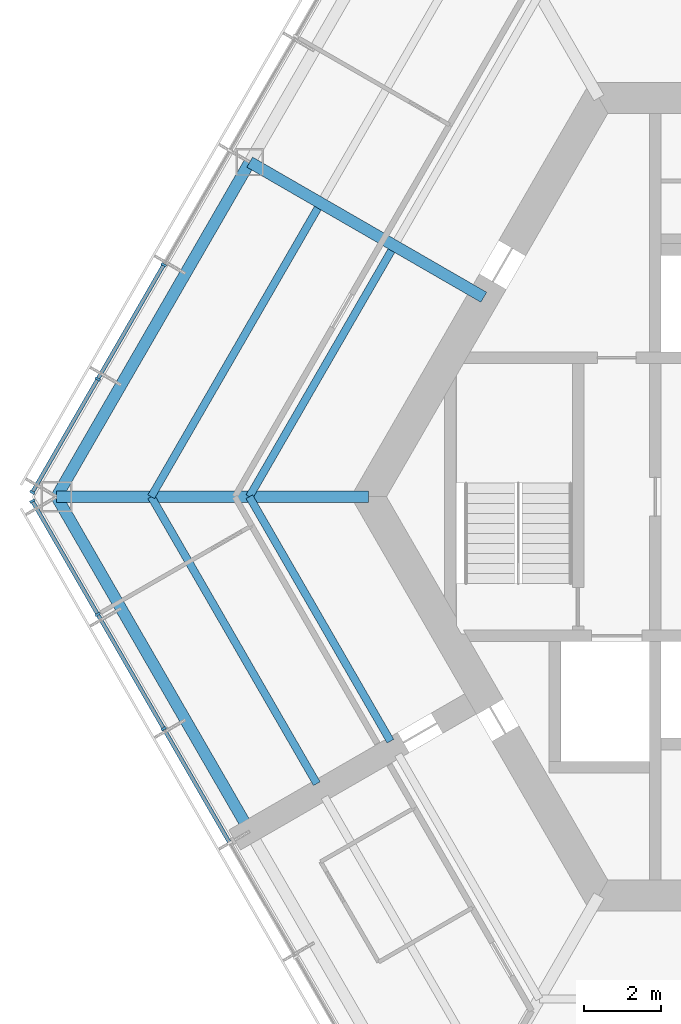
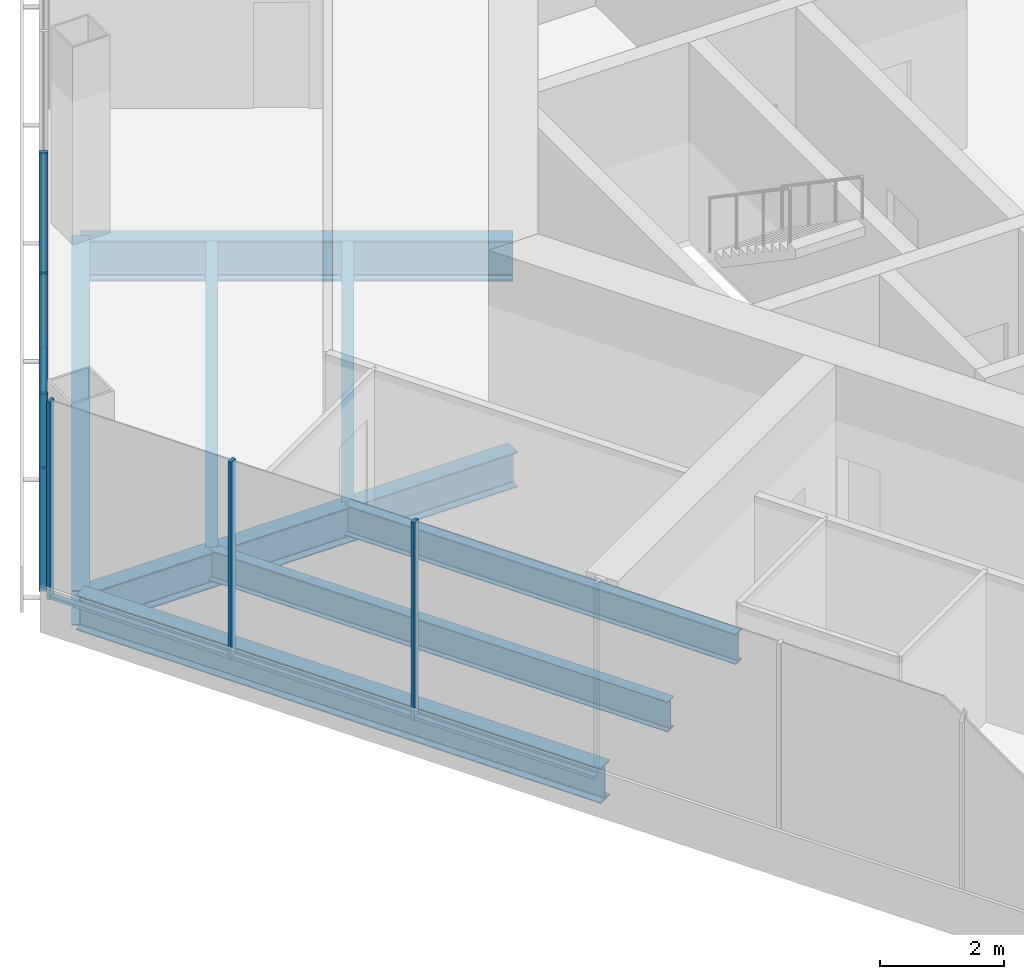
# One storey, part 3 of 15: 11 members, 8 beams, 2 elements without a shape of their own.
"""IFC4 building model written with IfcOpenShell, lengths in metres."""

from ifc_helpers import new_model, si_unit, direction, frame, origin, origin_2d, place, context, subcontext, project, spatial, rectangle, i_section, extrude, material, material_profile, profile_set, type_object, element, aggregate, save


model = new_model("IFC4")

# Units and contexts
model_context = context("Model", 3, precision=1e-05, world=origin(), true_north=direction((0.0, 1.0)))
body_context = subcontext(model_context, "Body", "Model", "MODEL_VIEW")
ifc_project = project(units=[si_unit("LENGTHUNIT", "METRE"), si_unit("AREAUNIT", "SQUARE_METRE"), si_unit("VOLUMEUNIT", "CUBIC_METRE"), si_unit("PLANEANGLEUNIT", "RADIAN"), si_unit("MASSUNIT", "GRAM", prefix="KILO")], contexts=[model_context])

# Site, building, storey
site_placement = place(None, origin())
site = spatial("IfcSite", under=ifc_project, at=site_placement, CompositionType="ELEMENT")
building_placement = place(site_placement, origin())
building = spatial("IfcBuilding", under=site, at=building_placement, Name="Kasaneha Research Tower", CompositionType="ELEMENT")
storey_placement = place(building_placement, frame((0.0, 0.0, 236.199951171875)))
storey = spatial("IfcBuildingStorey", under=building, at=storey_placement, Name="L59", CompositionType="ELEMENT", Elevation=236.199951171875)

# Beams
ifc_material_1 = material(Name="Steel SN490B", Category="steel")
ifc_material_profile_1 = material_profile(ifc_material_1, i_section(OverallWidth=0.199951171875, OverallDepth=0.60009765625, WebThickness=0.010986328125, FlangeThickness=0.01708984375, FilletRadius=0.012939453125, at=origin_2d()), Name="H-600x200x11x17")
ifc_profile_set_1 = profile_set([ifc_material_profile_1], Name="Steel SN490B")
beam_type_1 = type_object("IfcBeamType", Name="B1-3 secondary beam H-600x200x11x17", PredefinedType="JOIST", material=ifc_profile_set_1)
beam_1_placement = place(storey_placement, frame((-15.010986328125, 0.0, -0.449951171875), z_axis=(0.499994443168, 0.866028611999, 0.0), x_axis=(-0.866028611999, 0.499994443168, 0.0)))
element("IfcBeam", 1, at=beam_1_placement, inside=storey, type_object=beam_type_1, Name="Secondary beam RS150R1 L59", PredefinedType="JOIST", context=body_context, shape_type="SweptSolid", body=[
    extrude(i_section(OverallWidth=0.199951171875, OverallDepth=0.60009765625, WebThickness=0.010986328125, FlangeThickness=0.01708984375, FilletRadius=0.012939453125, at=origin_2d()), origin(), (0.0, 0.0, 1.0), 7.35546875),
])
beam_2_placement = place(storey_placement, frame((-17.551513671875, 0.0, -0.449951171875), z_axis=(0.5000050195, 0.866022505755, 0.0), x_axis=(-0.866022505755, 0.5000050195, 0.0)))
element("IfcBeam", 2, at=beam_2_placement, inside=storey, type_object=beam_type_1, Name="Secondary beam RS150R2 L59", PredefinedType="JOIST", context=body_context, shape_type="SweptSolid", body=[
    extrude(i_section(OverallWidth=0.199951171875, OverallDepth=0.60009765625, WebThickness=0.010986328125, FlangeThickness=0.01708984375, FilletRadius=0.012939453125, at=origin_2d()), origin(), (0.0, 0.0, 1.0), 8.6259765625),
])
beam_3_placement = place(storey_placement, frame((-15.010986328125, 0.0, -0.449951171875), z_axis=(0.499974128195, -0.866040340363, 0.0), x_axis=(0.866040340363, 0.499974128195, 0.0)))
element("IfcBeam", 3, at=beam_3_placement, inside=storey, type_object=beam_type_1, Name="Secondary beam RS210L1 L59", PredefinedType="JOIST", context=body_context, shape_type="SweptSolid", body=[
    extrude(i_section(OverallWidth=0.199951171875, OverallDepth=0.60009765625, WebThickness=0.010986328125, FlangeThickness=0.01708984375, FilletRadius=0.012939453125, at=origin_2d()), origin(), (0.0, 0.0, 1.0), 7.3056640625),
])
beam_4_placement = place(storey_placement, frame((-17.551513671875, 0.0, -0.449951171875), z_axis=(0.500000102728, -0.866025344474, 0.0), x_axis=(0.866025344474, 0.500000102728, 0.0)))
element("IfcBeam", 4, at=beam_4_placement, inside=storey, type_object=beam_type_1, Name="Secondary beam RS210L2 L59", PredefinedType="JOIST", context=body_context, shape_type="SweptSolid", body=[
    extrude(i_section(OverallWidth=0.199951171875, OverallDepth=0.60009765625, WebThickness=0.010986328125, FlangeThickness=0.01708984375, FilletRadius=0.012939453125, at=origin_2d()), origin(), (0.0, 0.0, 1.0), 8.57568359375),
])

# Curtain wall, members
ifc_material_2 = material(Name="Glass and aluminium", Category="aluminium")
curtain_wall_type = type_object("IfcCurtainWallType", Name="High-rise office curtain wall", PredefinedType="USERDEFINED", material=ifc_material_2)
curtain_wall_1_placement = place(storey_placement, origin())
curtain_wall_1 = element("IfcCurtainWall", 5, at=curtain_wall_1_placement, inside=storey, type_object=curtain_wall_type, Name="CW-O3 L59 run 03a", ObjectType="UNITISED CURTAIN WALL", PredefinedType="USERDEFINED")
ifc_material_3 = material(Name="Aluminium 6063-T6", Category="aluminium")
ifc_material_profile_2 = material_profile(ifc_material_3, rectangle(XDim=0.06005859375, YDim=0.139892578125, at=origin_2d()), Name="CW-O3 mullion 60x140")
ifc_profile_set_2 = profile_set([ifc_material_profile_2], Name="Aluminium 6063-T6")
member_type_1 = type_object("IfcMemberType", Name="CW-O3 mullion", PredefinedType="MULLION", material=ifc_profile_set_2)
member_1_placement = place(storey_placement, frame((-17.227294921875, 6.00244140625, 0.0), z_axis=(0.0, 0.0, 1.0), x_axis=(-0.499999995722, -0.866025406254, 0.0)))
member_1 = element("IfcMember", 6, at=member_1_placement, type_object=member_type_1, Name="CW-O3 mullion 5", PredefinedType="MULLION", context=body_context, shape_type="SweptSolid", body=[
    extrude(rectangle(XDim=0.06005859375, YDim=0.139892578125, at=origin_2d()), origin(), (0.0, 0.0, 1.0), 3.900146484375),
])
member_2_placement = place(storey_placement, frame((-18.93505859375, 3.04443359375, 0.0), z_axis=(0.0, 0.0, 1.0), x_axis=(-0.499999995722, -0.866025406254, 0.0)))
member_2 = element("IfcMember", 7, at=member_2_placement, type_object=member_type_1, Name="CW-O3 mullion 6", PredefinedType="MULLION", context=body_context, shape_type="SweptSolid", body=[
    extrude(rectangle(XDim=0.06005859375, YDim=0.139892578125, at=origin_2d()), origin(), (0.0, 0.0, 1.0), 3.900146484375),
])
member_3_placement = place(storey_placement, frame((-20.6279296875, 0.112548828125, 0.0), z_axis=(0.0, 0.0, 1.0), x_axis=(-0.499999995722, -0.866025406254, 0.0)))
member_3 = element("IfcMember", 8, at=member_3_placement, type_object=member_type_1, Name="CW-O3 mullion 7", PredefinedType="MULLION", context=body_context, shape_type="SweptSolid", body=[
    extrude(rectangle(XDim=0.06005859375, YDim=0.139892578125, at=origin_2d()), origin(), (0.0, 0.0, 1.0), 3.900146484375),
])

curtain_wall_2_placement = place(storey_placement, origin())
curtain_wall_2 = element("IfcCurtainWall", 9, at=curtain_wall_2_placement, inside=storey, type_object=curtain_wall_type, Name="CW-O3 L59 run 04a", ObjectType="UNITISED CURTAIN WALL", PredefinedType="USERDEFINED")
member_4_placement = place(storey_placement, frame((-20.6279296875, -0.112548828125, 0.0), z_axis=(0.0, 0.0, 1.0), x_axis=(0.499999995722, -0.866025406254, 0.0)))
member_4 = element("IfcMember", 10, at=member_4_placement, type_object=member_type_1, Name="CW-O3 mullion 1", PredefinedType="MULLION", context=body_context, shape_type="SweptSolid", body=[
    extrude(rectangle(XDim=0.06005859375, YDim=0.139892578125, at=origin_2d()), origin(), (0.0, 0.0, 1.0), 3.900146484375),
])
member_5_placement = place(storey_placement, frame((-18.93505859375, -3.04443359375, 0.0), z_axis=(0.0, 0.0, 1.0), x_axis=(0.499999995722, -0.866025406254, 0.0)))
member_5 = element("IfcMember", 11, at=member_5_placement, type_object=member_type_1, Name="CW-O3 mullion 2", PredefinedType="MULLION", context=body_context, shape_type="SweptSolid", body=[
    extrude(rectangle(XDim=0.06005859375, YDim=0.139892578125, at=origin_2d()), origin(), (0.0, 0.0, 1.0), 3.900146484375),
])
member_6_placement = place(storey_placement, frame((-17.227294921875, -6.00244140625, 0.0), z_axis=(0.0, 0.0, 1.0), x_axis=(0.499999995722, -0.866025406254, 0.0)))
member_6 = element("IfcMember", 12, at=member_6_placement, type_object=member_type_1, Name="CW-O3 mullion 3", PredefinedType="MULLION", context=body_context, shape_type="SweptSolid", body=[
    extrude(rectangle(XDim=0.06005859375, YDim=0.139892578125, at=origin_2d()), origin(), (0.0, 0.0, 1.0), 3.900146484375),
])

# Member
ifc_material_4 = material(Name="Aluminium 6063-T6", Category="aluminium")
ifc_material_profile_3 = material_profile(ifc_material_4, rectangle(XDim=0.10009765625, YDim=0.06005859375, at=origin_2d()), Name="CW-O3 transom 100x60")
ifc_profile_set_3 = profile_set([ifc_material_profile_3], Name="Aluminium 6063-T6")
member_type_2 = type_object("IfcMemberType", Name="CW-O3 transom", PredefinedType="USERDEFINED", material=ifc_profile_set_3)
member_7_placement = place(storey_placement, frame((-17.242431640625, 5.976318359375, 0.030029296875), z_axis=(-0.500020578564, -0.866013522419, 0.0), x_axis=(0.866013522419, -0.500020578564, 0.0)))
member_7 = element("IfcMember", 13, at=member_7_placement, type_object=member_type_2, Name="CW-O3 transom 5", ObjectType="TRANSOM", PredefinedType="USERDEFINED", context=body_context, shape_type="SweptSolid", body=[
    extrude(rectangle(XDim=0.10009765625, YDim=0.06005859375, at=origin_2d()), origin(), (0.0, 0.0, 1.0), 3.355224609375),
])

member_8_placement = place(storey_placement, frame((-18.9501953125, 3.0185546875, 0.030029296875), z_axis=(-0.49997666526, -0.866038875684, 0.0), x_axis=(0.866038875684, -0.49997666526, 0.0)))
member_8 = element("IfcMember", 14, at=member_8_placement, type_object=member_type_2, Name="CW-O3 transom 6", ObjectType="TRANSOM", PredefinedType="USERDEFINED", context=body_context, shape_type="SweptSolid", body=[
    extrude(rectangle(XDim=0.10009765625, YDim=0.06005859375, at=origin_2d()), origin(), (0.0, 0.0, 1.0), 3.325439453125),
])

aggregate(curtain_wall_1, [member_1, member_2, member_3, member_7, member_8])

member_9_placement = place(storey_placement, frame((-20.61279296875, -0.138671875, 0.030029296875), z_axis=(0.49997666526, -0.866038875684, 0.0), x_axis=(0.866038875684, 0.49997666526, 0.0)))
member_9 = element("IfcMember", 15, at=member_9_placement, type_object=member_type_2, Name="CW-O3 transom 1", ObjectType="TRANSOM", PredefinedType="USERDEFINED", context=body_context, shape_type="SweptSolid", body=[
    extrude(rectangle(XDim=0.10009765625, YDim=0.06005859375, at=origin_2d()), origin(), (0.0, 0.0, 1.0), 3.325439453125),
])

member_10_placement = place(storey_placement, frame((-18.920166015625, -3.070556640625, 0.030029296875), z_axis=(0.500020578564, -0.866013522419, 0.0), x_axis=(0.866013522419, 0.500020578564, 0.0)))
member_10 = element("IfcMember", 16, at=member_10_placement, type_object=member_type_2, Name="CW-O3 transom 2", ObjectType="TRANSOM", PredefinedType="USERDEFINED", context=body_context, shape_type="SweptSolid", body=[
    extrude(rectangle(XDim=0.10009765625, YDim=0.06005859375, at=origin_2d()), origin(), (0.0, 0.0, 1.0), 3.355224609375),
])

member_11_placement = place(storey_placement, frame((-17.21240234375, -6.0283203125, 0.030029296875), z_axis=(0.499989072476, -0.866031712701, 0.0), x_axis=(0.866031712701, 0.499989072476, 0.0)))
member_11 = element("IfcMember", 17, at=member_11_placement, type_object=member_type_2, Name="CW-O3 transom 3", ObjectType="TRANSOM", PredefinedType="USERDEFINED", context=body_context, shape_type="SweptSolid", body=[
    extrude(rectangle(XDim=0.10009765625, YDim=0.06005859375, at=origin_2d()), origin(), (0.0, 0.0, 1.0), 3.35546875),
])

aggregate(curtain_wall_2, [member_4, member_5, member_6, member_9, member_10, member_11])

# Beams
ifc_material_5 = material(Name="Steel SN490B", Category="steel")
ifc_material_profile_4 = material_profile(ifc_material_5, i_section(OverallWidth=0.300048828125, OverallDepth=0.699951171875, WebThickness=0.012939453125, FlangeThickness=0.02392578125, FilletRadius=0.01806640625, at=origin_2d()), Name="H-700x300x13x24")
ifc_profile_set_4 = profile_set([ifc_material_profile_4], Name="Steel SN490B")
beam_type_2 = type_object("IfcBeamType", Name="G1-3 radial girder H-700x300x13x24", PredefinedType="BEAM", material=ifc_profile_set_4)
beam_5_placement = place(storey_placement, frame((-11.92236328125, 0.0, -0.5), z_axis=(-1.0, 0.0, 0.0), x_axis=(0.0, -1.0, 0.0)))
element("IfcBeam", 18, at=beam_5_placement, inside=storey, type_object=beam_type_2, Name="Radial girder RV180 L59", PredefinedType="BEAM", context=body_context, shape_type="SweptSolid", body=[
    extrude(i_section(OverallWidth=0.300048828125, OverallDepth=0.699951171875, WebThickness=0.012939453125, FlangeThickness=0.02392578125, FilletRadius=0.01806640625, at=origin_2d()), origin(), (0.0, 0.0, 1.0), 8.07763671875),
])
ifc_material_6 = material(Name="Steel SN490B", Category="steel")
ifc_material_profile_5 = material_profile(ifc_material_6, i_section(OverallWidth=0.300048828125, OverallDepth=0.800048828125, WebThickness=0.013916015625, FlangeThickness=0.02587890625, FilletRadius=0.01806640625, at=origin_2d()), Name="H-800x300x14x26")
ifc_profile_set_5 = profile_set([ifc_material_profile_5], Name="Steel SN490B")
beam_type_3 = type_object("IfcBeamType", Name="G2-3 radial girder H-800x300x14x26", PredefinedType="BEAM", material=ifc_profile_set_5)
beam_6_placement = place(storey_placement, frame((-8.941650390625, 5.16259765625, -0.550048828125), z_axis=(-0.866039713508, 0.499975214012, 0.0), x_axis=(-0.499975214012, -0.866039713508, 0.0)))
element("IfcBeam", 19, at=beam_6_placement, inside=storey, type_object=beam_type_3, Name="Radial girder RM150 L59", PredefinedType="BEAM", context=body_context, shape_type="SweptSolid", body=[
    extrude(i_section(OverallWidth=0.300048828125, OverallDepth=0.800048828125, WebThickness=0.013916015625, FlangeThickness=0.02587890625, FilletRadius=0.01806640625, at=origin_2d()), origin(), (0.0, 0.0, 1.0), 6.995361328125),
])
ifc_material_7 = material(Name="Steel SN490B", Category="steel")
ifc_material_profile_6 = material_profile(ifc_material_7, i_section(OverallWidth=0.300048828125, OverallDepth=0.69189453125, WebThickness=0.012939453125, FlangeThickness=0.02001953125, FilletRadius=0.01806640625, at=origin_2d()), Name="H-692x300x13x20")
ifc_profile_set_6 = profile_set([ifc_material_profile_6], Name="Steel SN490B")
beam_type_4 = type_object("IfcBeamType", Name="G3-3 plate edge girder H-692x300x13x20", PredefinedType="BEAM", material=ifc_profile_set_6)
beam_7_placement = place(storey_placement, frame((-20.0, 0.0, -0.495849609375), z_axis=(0.49999201416, -0.866030014362, 0.0), x_axis=(0.866030014362, 0.49999201416, 0.0)))
element("IfcBeam", 20, at=beam_7_placement, inside=storey, type_object=beam_type_4, Name="Plate edge girder PEBP L59", PredefinedType="BEAM", context=body_context, shape_type="SweptSolid", body=[
    extrude(i_section(OverallWidth=0.300048828125, OverallDepth=0.69189453125, WebThickness=0.012939453125, FlangeThickness=0.02001953125, FilletRadius=0.01806640625, at=origin_2d()), origin(), (0.0, 0.0, 1.0), 9.800048828125),
])
ifc_material_8 = material(Name="Steel SN490B", Category="steel")
ifc_material_profile_7 = material_profile(ifc_material_8, i_section(OverallWidth=0.300048828125, OverallDepth=0.69189453125, WebThickness=0.012939453125, FlangeThickness=0.02001953125, FilletRadius=0.01806640625, at=origin_2d()), Name="H-692x300x13x20")
ifc_profile_set_7 = profile_set([ifc_material_profile_7], Name="Steel SN490B")
beam_type_5 = type_object("IfcBeamType", Name="SB1-3 spandrel beam H-692x300x13x20", PredefinedType="SPANDREL", material=ifc_profile_set_7)
beam_8_placement = place(storey_placement, frame((-20.0, 0.0, -0.495849609375), z_axis=(0.500004234368, 0.866022959057, 0.0), x_axis=(-0.866022959057, 0.500004234368, 0.0)))
element("IfcBeam", 21, at=beam_8_placement, inside=storey, type_object=beam_type_5, Name="Spandrel beam SR150R L59", PredefinedType="SPANDREL", context=body_context, shape_type="SweptSolid", body=[
    extrude(i_section(OverallWidth=0.300048828125, OverallDepth=0.69189453125, WebThickness=0.012939453125, FlangeThickness=0.02001953125, FilletRadius=0.01806640625, at=origin_2d()), origin(), (0.0, 0.0, 1.0), 10.0),
])

save(model, "model.ifc")
